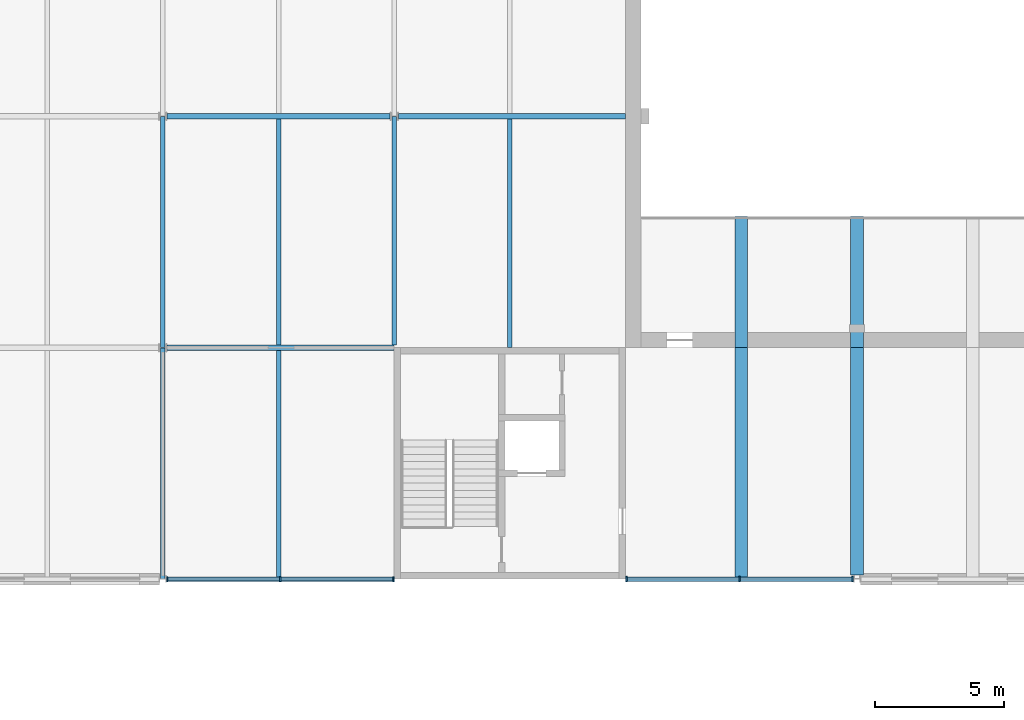
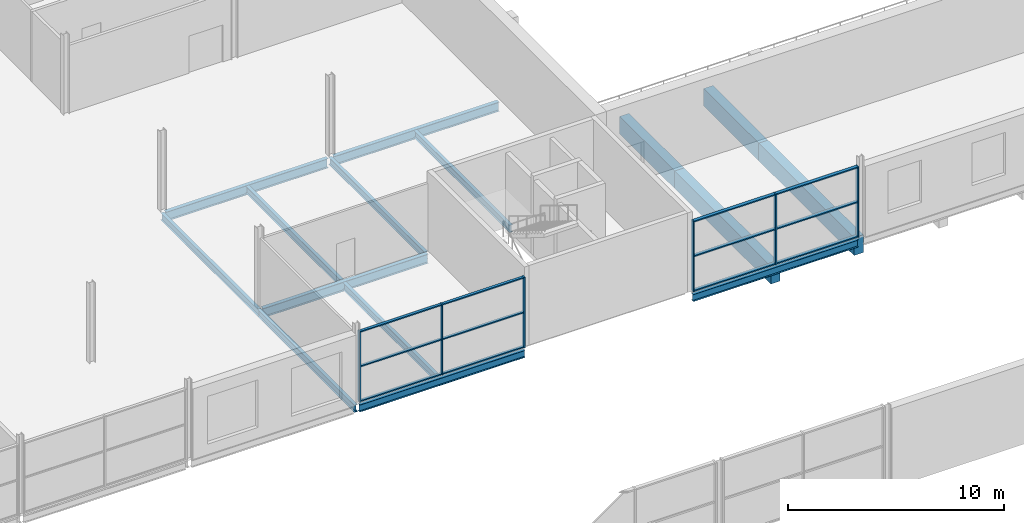
# One storey, part 37 of 97: 18 members, 15 beams, 2 elements without a shape of their own.
"""IFC4 building model written with IfcOpenShell, lengths in metres."""

from ifc_helpers import new_model, si_unit, direction, frame, origin, origin_2d, place, context, subcontext, project, spatial, rectangle, i_section, extrude, material, layer, layer_set, material_profile, profile_set, type_object, element, aggregate, save


model = new_model("IFC4")

# Units and contexts
model_context = context("Model", 3, precision=1e-05, world=origin(), true_north=direction((0.0, 1.0)))
body_context = subcontext(model_context, "Body", "Model", "MODEL_VIEW")
ifc_project = project(units=[si_unit("LENGTHUNIT", "METRE"), si_unit("AREAUNIT", "SQUARE_METRE"), si_unit("VOLUMEUNIT", "CUBIC_METRE"), si_unit("PLANEANGLEUNIT", "RADIAN"), si_unit("MASSUNIT", "GRAM", prefix="KILO")], contexts=[model_context])

# Site, building, storey
site_placement = place(None, origin())
site = spatial("IfcSite", under=ifc_project, at=site_placement, CompositionType="ELEMENT")
building_placement = place(site_placement, origin())
building = spatial("IfcBuilding", under=site, at=building_placement, Name="Corbel Yard City Hall", CompositionType="ELEMENT")
storey_placement = place(building_placement, frame((0.0, 0.0, 6.0)))
storey = spatial("IfcBuildingStorey", under=building, at=storey_placement, Name="L01", CompositionType="ELEMENT", Elevation=6.0)

# Beams
ifc_material_1 = material(Name="Steel Grade 300 (300 MPa yield)", Category="steel")
ifc_material_profile_1 = material_profile(ifc_material_1, i_section(OverallWidth=0.177978515625, OverallDepth=0.403076171875, WebThickness=0.007568359375, FlangeThickness=0.010986328125, at=origin_2d()), Name="410UB53.7")
ifc_profile_set_1 = profile_set([ifc_material_profile_1], Name="Steel Grade 300 (300 MPa yield)")
beam_type_1 = type_object("IfcBeamType", Name="Beam 410UB53.7", PredefinedType="BEAM", material=ifc_profile_set_1)
beam_1_placement = place(storey_placement, frame((99.0, 45.005859375, -0.3515625), z_axis=(0.0, 1.0, 0.0), x_axis=(-1.0, 0.0, 0.0)))
element("IfcBeam", 1, at=beam_1_placement, inside=storey, type_object=beam_type_1, Name="Beam 410UB53.7 SB6 L01floor", PredefinedType="BEAM", context=body_context, shape_type="SweptSolid", body=[
    extrude(i_section(OverallWidth=0.177978515625, OverallDepth=0.403076171875, WebThickness=0.007568359375, FlangeThickness=0.010986328125, at=origin_2d()), origin(), (0.0, 0.0, 1.0), 8.986328125),
])
beam_2_placement = place(storey_placement, frame((99.0, 54.0078125, -0.3515625), z_axis=(0.0, 1.0, 0.0), x_axis=(-1.0, 0.0, 0.0)))
element("IfcBeam", 2, at=beam_2_placement, inside=storey, type_object=beam_type_1, Name="Beam 410UB53.7 SB6 L01floor", PredefinedType="BEAM", context=body_context, shape_type="SweptSolid", body=[
    extrude(i_section(OverallWidth=0.177978515625, OverallDepth=0.403076171875, WebThickness=0.007568359375, FlangeThickness=0.010986328125, at=origin_2d()), origin(), (0.0, 0.0, 1.0), 8.984375),
])
beam_3_placement = place(storey_placement, frame((108.0, 54.1044921875, -0.3515625), z_axis=(0.0, 1.0, 0.0), x_axis=(-1.0, 0.0, 0.0)))
element("IfcBeam", 3, at=beam_3_placement, inside=storey, type_object=beam_type_1, Name="Beam 410UB53.7 SB6 L01floor", PredefinedType="BEAM", context=body_context, shape_type="SweptSolid", body=[
    extrude(i_section(OverallWidth=0.177978515625, OverallDepth=0.403076171875, WebThickness=0.007568359375, FlangeThickness=0.010986328125, at=origin_2d()), origin(), (0.0, 0.0, 1.0), 8.8876953125),
])
ifc_material_profile_2 = material_profile(ifc_material_1, i_section(OverallWidth=0.177978515625, OverallDepth=0.406005859375, WebThickness=0.0078125, FlangeThickness=0.0126953125, at=origin_2d()), Name="410UB59.7")
ifc_profile_set_2 = profile_set([ifc_material_profile_2], Name="Steel Grade 300 (300 MPa yield)")
beam_type_2 = type_object("IfcBeamType", Name="Edge beam 410UB59.7", PredefinedType="BEAM", material=ifc_profile_set_2)
for number, where, z_axis, x_axis, name in (
    (4, (99.157470703125, 45.0, -0.35302734375), (1.0, 0.0, 0.0), (0.0, 1.0, 0.0), "Edge beam 410UB59.7 EB2 L01floor"),
    (5, (117.0, 45.0, -0.35302734375), (1.0, 0.0, 0.0), (0.0, 1.0, 0.0), "Edge beam 410UB59.7 EB2 L01floor"),
):
    element("IfcBeam", number, at=place(storey_placement, frame(where, z_axis=z_axis, x_axis=x_axis)), inside=storey, type_object=beam_type_2, Name=name, PredefinedType="BEAM", context=body_context, shape_type="SweptSolid", body=[
        extrude(i_section(OverallWidth=0.177978515625, OverallDepth=0.406005859375, WebThickness=0.0078125, FlangeThickness=0.0126953125, at=origin_2d()), origin(), (0.0, 0.0, 1.0), 8.842529296875),
    ])
ifc_material_2 = material(Name="Concrete N40 (40 MPa)", Category="concrete")
ifc_material_profile_3 = material_profile(ifc_material_2, rectangle(XDim=0.5, YDim=1.0, at=origin_2d()), Name="500x1000")
ifc_profile_set_3 = profile_set([ifc_material_profile_3], Name="Concrete N40 (40 MPa)")
beam_type_3 = type_object("IfcBeamType", Name="Gallery back-span beam RC 500X1000", PredefinedType="BEAM", material=ifc_profile_set_3)
beam_4_placement = place(storey_placement, frame((121.5, 45.089111328125, -0.64990234375), z_axis=(0.0, 1.0, 0.0), x_axis=(-1.0, 0.0, 0.0)))
element("IfcBeam", 6, at=beam_4_placement, inside=storey, type_object=beam_type_3, Name="Gallery back-span beam RC 500X1000 TB1 L01floor", PredefinedType="BEAM", context=body_context, shape_type="SweptSolid", body=[
    extrude(rectangle(XDim=0.5, YDim=1.0, at=origin_2d()), origin(), (0.0, 0.0, 1.0), 8.910888671875),
])
beam_5_placement = place(storey_placement, frame((126.0, 45.153564453125, -0.64990234375), z_axis=(0.0, 1.0, 0.0), x_axis=(-1.0, 0.0, 0.0)))
element("IfcBeam", 7, at=beam_5_placement, inside=storey, type_object=beam_type_3, Name="Gallery back-span beam RC 500X1000 TB1 L01floor", PredefinedType="BEAM", context=body_context, shape_type="SweptSolid", body=[
    extrude(rectangle(XDim=0.5, YDim=1.0, at=origin_2d()), origin(), (0.0, 0.0, 1.0), 8.846435546875),
])
ifc_material_profile_4 = material_profile(ifc_material_2, rectangle(XDim=0.5, YDim=1.0, at=origin_2d()), Name="500x1000")
ifc_profile_set_4 = profile_set([ifc_material_profile_4], Name="Concrete N40 (40 MPa)")
beam_type_4 = type_object("IfcBeamType", Name="Gallery cantilever beam RC 500X1000", PredefinedType="BEAM", material=ifc_profile_set_4)
for number, where, z_axis, x_axis, name in (
    (8, (121.5, 54.0, -0.64990234375), (0.0, 1.0, 0.0), (-1.0, 0.0, 0.0), "Gallery cantilever beam RC 500X1000 TB2 L01floor"),
    (9, (126.0, 54.0, -0.64990234375), (0.0, 1.0, 0.0), (-1.0, 0.0, 0.0), "Gallery cantilever beam RC 500X1000 TB2 L01floor"),
):
    element("IfcBeam", number, at=place(storey_placement, frame(where, z_axis=z_axis, x_axis=x_axis)), inside=storey, type_object=beam_type_4, Name=name, PredefinedType="BEAM", context=body_context, shape_type="SweptSolid", body=[
        extrude(rectangle(XDim=0.5, YDim=1.0, at=origin_2d()), origin(), (0.0, 0.0, 1.0), 5.10009765625),
    ])
ifc_material_profile_5 = material_profile(ifc_material_1, i_section(OverallWidth=0.208984375, OverallDepth=0.528076171875, WebThickness=0.009521484375, FlangeThickness=0.01318359375, at=origin_2d()), Name="530UB82.0")
ifc_profile_set_5 = profile_set([ifc_material_profile_5], Name="Steel Grade 300 (300 MPa yield)")
beam_type_5 = type_object("IfcBeamType", Name="Girder 530UB82.0", PredefinedType="BEAM", material=ifc_profile_set_5)
beam_6_placement = place(storey_placement, frame((99.16357421875, 54.0, -0.4140625), z_axis=(1.0, 0.0, 0.0), x_axis=(0.0, 1.0, 0.0)))
element("IfcBeam", 10, at=beam_6_placement, inside=storey, type_object=beam_type_5, Name="Girder 530UB82.0 GB3 L01floor", PredefinedType="BEAM", context=body_context, shape_type="SweptSolid", body=[
    extrude(i_section(OverallWidth=0.208984375, OverallDepth=0.528076171875, WebThickness=0.009521484375, FlangeThickness=0.01318359375, at=origin_2d()), origin(), (0.0, 0.0, 1.0), 8.83642578125),
])
beam_7_placement = place(storey_placement, frame((99.16357421875, 63.0, -0.4140625), z_axis=(1.0, 0.0, 0.0), x_axis=(0.0, 1.0, 0.0)))
element("IfcBeam", 11, at=beam_7_placement, inside=storey, type_object=beam_type_5, Name="Girder 530UB82.0 GB3 L01floor", PredefinedType="BEAM", context=body_context, shape_type="SweptSolid", body=[
    extrude(i_section(OverallWidth=0.208984375, OverallDepth=0.528076171875, WebThickness=0.009521484375, FlangeThickness=0.01318359375, at=origin_2d()), origin(), (0.0, 0.0, 1.0), 8.6728515625),
])
beam_8_placement = place(storey_placement, frame((108.16357421875, 63.0, -0.4140625), z_axis=(1.0, 0.0, 0.0), x_axis=(0.0, 1.0, 0.0)))
element("IfcBeam", 12, at=beam_8_placement, inside=storey, type_object=beam_type_5, Name="Girder 530UB82.0 GB3 L01floor", PredefinedType="BEAM", context=body_context, shape_type="SweptSolid", body=[
    extrude(i_section(OverallWidth=0.208984375, OverallDepth=0.528076171875, WebThickness=0.009521484375, FlangeThickness=0.01318359375, at=origin_2d()), origin(), (0.0, 0.0, 1.0), 8.83642578125),
])

# Curtain wall, members
ifc_material_3 = material(Name="Aluminium extrusion", Category="aluminium")
ifc_layer_1 = layer(ifc_material_3, 0.199951171875)
ifc_layer_set_1 = layer_set([ifc_layer_1], Name="Aluminium extrusion")
curtain_wall_type_1 = type_object("IfcCurtainWallType", Name="CW1", PredefinedType="USERDEFINED", material=ifc_layer_set_1)
curtain_wall_1_placement = place(storey_placement, origin())
curtain_wall_1 = element("IfcCurtainWall", 13, at=curtain_wall_1_placement, inside=storey, type_object=curtain_wall_type_1, Name="Curtain wall CW1 L01", ObjectType="CURTAIN WALL", PredefinedType="USERDEFINED")
ifc_material_profile_6 = material_profile(ifc_material_3, rectangle(XDim=0.199951171875, YDim=0.06494140625, at=origin_2d()), Name="200x65")
ifc_profile_set_6 = profile_set([ifc_material_profile_6], Name="Aluminium extrusion")
member_type_1 = type_object("IfcMemberType", Name="ML1", PredefinedType="MULLION", material=ifc_profile_set_6)
member_1_placement = place(storey_placement, frame((99.16259765625, 45.0, 0.0), z_axis=(0.0, 0.0, 1.0), x_axis=(0.0, 1.0, 0.0)))
member_1 = element("IfcMember", 14, at=member_1_placement, type_object=member_type_1, Name="CW1 mullion 1", PredefinedType="MULLION", context=body_context, shape_type="SweptSolid", body=[
    extrude(rectangle(XDim=0.199951171875, YDim=0.06494140625, at=origin_2d()), origin(), (0.0, 0.0, 1.0), 3.990966796875),
])
member_2_placement = place(storey_placement, frame((103.56494140625, 45.0, 0.0), z_axis=(0.0, 0.0, 1.0), x_axis=(0.0, 1.0, 0.0)))
member_2 = element("IfcMember", 15, at=member_2_placement, type_object=member_type_1, Name="CW1 mullion 2", PredefinedType="MULLION", context=body_context, shape_type="SweptSolid", body=[
    extrude(rectangle(XDim=0.199951171875, YDim=0.06494140625, at=origin_2d()), origin(), (0.0, 0.0, 1.0), 3.990966796875),
])
member_3_placement = place(storey_placement, frame((107.967529296875, 45.0, 0.0), z_axis=(0.0, 0.0, 1.0), x_axis=(0.0, 1.0, 0.0)))
member_3 = element("IfcMember", 16, at=member_3_placement, type_object=member_type_1, Name="CW1 mullion 3", PredefinedType="MULLION", context=body_context, shape_type="SweptSolid", body=[
    extrude(rectangle(XDim=0.199951171875, YDim=0.06494140625, at=origin_2d()), origin(), (0.0, 0.0, 1.0), 3.990966796875),
])

ifc_layer_2 = layer(ifc_material_3, 0.219970703125)
ifc_layer_set_2 = layer_set([ifc_layer_2], Name="Aluminium extrusion")
curtain_wall_type_2 = type_object("IfcCurtainWallType", Name="CW5", PredefinedType="USERDEFINED", material=ifc_layer_set_2)
curtain_wall_2_placement = place(storey_placement, origin())
curtain_wall_2 = element("IfcCurtainWall", 17, at=curtain_wall_2_placement, inside=storey, type_object=curtain_wall_type_2, Name="Curtain wall CW5 L01", ObjectType="CURTAIN WALL", PredefinedType="USERDEFINED")
ifc_material_profile_7 = material_profile(ifc_material_3, rectangle(XDim=0.219970703125, YDim=0.06494140625, at=origin_2d()), Name="220x65")
ifc_profile_set_7 = profile_set([ifc_material_profile_7], Name="Aluminium extrusion")
member_type_2 = type_object("IfcMemberType", Name="ML5", PredefinedType="MULLION", material=ifc_profile_set_7)
member_4_placement = place(storey_placement, frame((117.032470703125, 45.0, 0.0), z_axis=(0.0, 0.0, 1.0), x_axis=(0.0, 1.0, 0.0)))
member_4 = element("IfcMember", 18, at=member_4_placement, type_object=member_type_2, Name="CW5 mullion 1", PredefinedType="MULLION", context=body_context, shape_type="SweptSolid", body=[
    extrude(rectangle(XDim=0.219970703125, YDim=0.06494140625, at=origin_2d()), origin(), (0.0, 0.0, 1.0), 3.990966796875),
])
member_5_placement = place(storey_placement, frame((121.43505859375, 45.0, 0.0), z_axis=(0.0, 0.0, 1.0), x_axis=(0.0, 1.0, 0.0)))
member_5 = element("IfcMember", 19, at=member_5_placement, type_object=member_type_2, Name="CW5 mullion 2", PredefinedType="MULLION", context=body_context, shape_type="SweptSolid", body=[
    extrude(rectangle(XDim=0.219970703125, YDim=0.06494140625, at=origin_2d()), origin(), (0.0, 0.0, 1.0), 3.990966796875),
])
member_6_placement = place(storey_placement, frame((125.83740234375, 45.0, 0.0), z_axis=(0.0, 0.0, 1.0), x_axis=(0.0, 1.0, 0.0)))
member_6 = element("IfcMember", 20, at=member_6_placement, type_object=member_type_2, Name="CW5 mullion 3", PredefinedType="MULLION", context=body_context, shape_type="SweptSolid", body=[
    extrude(rectangle(XDim=0.219970703125, YDim=0.06494140625, at=origin_2d()), origin(), (0.0, 0.0, 1.0), 3.990966796875),
])

# Beams
ifc_material_profile_8 = material_profile(ifc_material_1, i_section(OverallWidth=0.177978515625, OverallDepth=0.403076171875, WebThickness=0.007568359375, FlangeThickness=0.010986328125, at=origin_2d()), Name="410UB53.7")
ifc_profile_set_8 = profile_set([ifc_material_profile_8], Name="Steel Grade 300 (300 MPa yield)")
beam_type_6 = type_object("IfcBeamType", Name="Secondary beam 410UB53.7", PredefinedType="JOIST", material=ifc_profile_set_8)
beam_9_placement = place(storey_placement, frame((103.5, 45.089111328125, -0.3515625), z_axis=(0.0, 1.0, 0.0), x_axis=(-1.0, 0.0, 0.0)))
element("IfcBeam", 21, at=beam_9_placement, inside=storey, type_object=beam_type_6, Name="Secondary beam 410UB53.7 SB5 L01floor", PredefinedType="JOIST", context=body_context, shape_type="SweptSolid", body=[
    extrude(i_section(OverallWidth=0.177978515625, OverallDepth=0.403076171875, WebThickness=0.007568359375, FlangeThickness=0.010986328125, at=origin_2d()), origin(), (0.0, 0.0, 1.0), 8.806396484375),
])
beam_10_placement = place(storey_placement, frame((103.5, 54.1044921875, -0.3515625), z_axis=(0.0, 1.0, 0.0), x_axis=(-1.0, 0.0, 0.0)))
element("IfcBeam", 22, at=beam_10_placement, inside=storey, type_object=beam_type_6, Name="Secondary beam 410UB53.7 SB5 L01floor", PredefinedType="JOIST", context=body_context, shape_type="SweptSolid", body=[
    extrude(i_section(OverallWidth=0.177978515625, OverallDepth=0.403076171875, WebThickness=0.007568359375, FlangeThickness=0.010986328125, at=origin_2d()), origin(), (0.0, 0.0, 1.0), 8.791015625),
])
beam_11_placement = place(storey_placement, frame((112.5, 54.0, -0.3515625), z_axis=(0.0, 1.0, 0.0), x_axis=(-1.0, 0.0, 0.0)))
element("IfcBeam", 23, at=beam_11_placement, inside=storey, type_object=beam_type_6, Name="Secondary beam 410UB53.7 SB5 L01floor", PredefinedType="JOIST", context=body_context, shape_type="SweptSolid", body=[
    extrude(i_section(OverallWidth=0.177978515625, OverallDepth=0.403076171875, WebThickness=0.007568359375, FlangeThickness=0.010986328125, at=origin_2d()), origin(), (0.0, 0.0, 1.0), 8.8955078125),
])

# Member
ifc_material_profile_9 = material_profile(ifc_material_3, rectangle(XDim=0.14990234375, YDim=0.06494140625, at=origin_2d()), Name="150x65")
ifc_profile_set_9 = profile_set([ifc_material_profile_9], Name="Aluminium extrusion")
member_type_3 = type_object("IfcMemberType", Name="TR1", PredefinedType="USERDEFINED", material=ifc_profile_set_9)
member_7_placement = place(storey_placement, frame((99.195068359375, 45.0, 0.032470703125), z_axis=(1.0, 0.0, 0.0), x_axis=(0.0, 1.0, 0.0)))
member_7 = element("IfcMember", 24, at=member_7_placement, type_object=member_type_3, Name="CW1 transom 1.1", ObjectType="TRANSOM", PredefinedType="USERDEFINED", context=body_context, shape_type="SweptSolid", body=[
    extrude(rectangle(XDim=0.14990234375, YDim=0.06494140625, at=origin_2d()), origin(), (0.0, 0.0, 1.0), 4.33740234375),
])

member_8_placement = place(storey_placement, frame((99.195068359375, 45.0, 1.99560546875), z_axis=(1.0, 0.0, 0.0), x_axis=(0.0, 1.0, 0.0)))
member_8 = element("IfcMember", 25, at=member_8_placement, type_object=member_type_3, Name="CW1 transom 1.2", ObjectType="TRANSOM", PredefinedType="USERDEFINED", context=body_context, shape_type="SweptSolid", body=[
    extrude(rectangle(XDim=0.14990234375, YDim=0.06494140625, at=origin_2d()), origin(), (0.0, 0.0, 1.0), 4.33740234375),
])

member_9_placement = place(storey_placement, frame((99.195068359375, 45.0, 3.95849609375), z_axis=(1.0, 0.0, 0.0), x_axis=(0.0, 1.0, 0.0)))
member_9 = element("IfcMember", 26, at=member_9_placement, type_object=member_type_3, Name="CW1 transom 1.3", ObjectType="TRANSOM", PredefinedType="USERDEFINED", context=body_context, shape_type="SweptSolid", body=[
    extrude(rectangle(XDim=0.14990234375, YDim=0.06494140625, at=origin_2d()), origin(), (0.0, 0.0, 1.0), 4.33740234375),
])

member_10_placement = place(storey_placement, frame((103.597412109375, 45.0, 0.032470703125), z_axis=(1.0, 0.0, 0.0), x_axis=(0.0, 1.0, 0.0)))
member_10 = element("IfcMember", 27, at=member_10_placement, type_object=member_type_3, Name="CW1 transom 2.1", ObjectType="TRANSOM", PredefinedType="USERDEFINED", context=body_context, shape_type="SweptSolid", body=[
    extrude(rectangle(XDim=0.14990234375, YDim=0.06494140625, at=origin_2d()), origin(), (0.0, 0.0, 1.0), 4.337646484375),
])

member_11_placement = place(storey_placement, frame((103.597412109375, 45.0, 1.99560546875), z_axis=(1.0, 0.0, 0.0), x_axis=(0.0, 1.0, 0.0)))
member_11 = element("IfcMember", 28, at=member_11_placement, type_object=member_type_3, Name="CW1 transom 2.2", ObjectType="TRANSOM", PredefinedType="USERDEFINED", context=body_context, shape_type="SweptSolid", body=[
    extrude(rectangle(XDim=0.14990234375, YDim=0.06494140625, at=origin_2d()), origin(), (0.0, 0.0, 1.0), 4.337646484375),
])

member_12_placement = place(storey_placement, frame((103.597412109375, 45.0, 3.95849609375), z_axis=(1.0, 0.0, 0.0), x_axis=(0.0, 1.0, 0.0)))
member_12 = element("IfcMember", 29, at=member_12_placement, type_object=member_type_3, Name="CW1 transom 2.3", ObjectType="TRANSOM", PredefinedType="USERDEFINED", context=body_context, shape_type="SweptSolid", body=[
    extrude(rectangle(XDim=0.14990234375, YDim=0.06494140625, at=origin_2d()), origin(), (0.0, 0.0, 1.0), 4.337646484375),
])

aggregate(curtain_wall_1, [member_1, member_2, member_3, member_7, member_8, member_9, member_10, member_11, member_12])

ifc_material_profile_10 = material_profile(ifc_material_3, rectangle(XDim=0.179931640625, YDim=0.06494140625, at=origin_2d()), Name="180x65")
ifc_profile_set_10 = profile_set([ifc_material_profile_10], Name="Aluminium extrusion")
member_type_4 = type_object("IfcMemberType", Name="TR5", PredefinedType="USERDEFINED", material=ifc_profile_set_10)
member_13_placement = place(storey_placement, frame((117.06494140625, 45.0, 0.032470703125), z_axis=(1.0, 0.0, 0.0), x_axis=(0.0, 1.0, 0.0)))
member_13 = element("IfcMember", 30, at=member_13_placement, type_object=member_type_4, Name="CW5 transom 1.1", ObjectType="TRANSOM", PredefinedType="USERDEFINED", context=body_context, shape_type="SweptSolid", body=[
    extrude(rectangle(XDim=0.179931640625, YDim=0.06494140625, at=origin_2d()), origin(), (0.0, 0.0, 1.0), 4.337646484375),
])

member_14_placement = place(storey_placement, frame((117.06494140625, 45.0, 1.99560546875), z_axis=(1.0, 0.0, 0.0), x_axis=(0.0, 1.0, 0.0)))
member_14 = element("IfcMember", 31, at=member_14_placement, type_object=member_type_4, Name="CW5 transom 1.2", ObjectType="TRANSOM", PredefinedType="USERDEFINED", context=body_context, shape_type="SweptSolid", body=[
    extrude(rectangle(XDim=0.179931640625, YDim=0.06494140625, at=origin_2d()), origin(), (0.0, 0.0, 1.0), 4.337646484375),
])

member_15_placement = place(storey_placement, frame((117.06494140625, 45.0, 3.95849609375), z_axis=(1.0, 0.0, 0.0), x_axis=(0.0, 1.0, 0.0)))
member_15 = element("IfcMember", 32, at=member_15_placement, type_object=member_type_4, Name="CW5 transom 1.3", ObjectType="TRANSOM", PredefinedType="USERDEFINED", context=body_context, shape_type="SweptSolid", body=[
    extrude(rectangle(XDim=0.179931640625, YDim=0.06494140625, at=origin_2d()), origin(), (0.0, 0.0, 1.0), 4.337646484375),
])

member_16_placement = place(storey_placement, frame((121.467529296875, 45.0, 0.032470703125), z_axis=(1.0, 0.0, 0.0), x_axis=(0.0, 1.0, 0.0)))
member_16 = element("IfcMember", 33, at=member_16_placement, type_object=member_type_4, Name="CW5 transom 2.1", ObjectType="TRANSOM", PredefinedType="USERDEFINED", context=body_context, shape_type="SweptSolid", body=[
    extrude(rectangle(XDim=0.179931640625, YDim=0.06494140625, at=origin_2d()), origin(), (0.0, 0.0, 1.0), 4.33740234375),
])

member_17_placement = place(storey_placement, frame((121.467529296875, 45.0, 1.99560546875), z_axis=(1.0, 0.0, 0.0), x_axis=(0.0, 1.0, 0.0)))
member_17 = element("IfcMember", 34, at=member_17_placement, type_object=member_type_4, Name="CW5 transom 2.2", ObjectType="TRANSOM", PredefinedType="USERDEFINED", context=body_context, shape_type="SweptSolid", body=[
    extrude(rectangle(XDim=0.179931640625, YDim=0.06494140625, at=origin_2d()), origin(), (0.0, 0.0, 1.0), 4.33740234375),
])

member_18_placement = place(storey_placement, frame((121.467529296875, 45.0, 3.95849609375), z_axis=(1.0, 0.0, 0.0), x_axis=(0.0, 1.0, 0.0)))
member_18 = element("IfcMember", 35, at=member_18_placement, type_object=member_type_4, Name="CW5 transom 2.3", ObjectType="TRANSOM", PredefinedType="USERDEFINED", context=body_context, shape_type="SweptSolid", body=[
    extrude(rectangle(XDim=0.179931640625, YDim=0.06494140625, at=origin_2d()), origin(), (0.0, 0.0, 1.0), 4.33740234375),
])

aggregate(curtain_wall_2, [member_4, member_5, member_6, member_13, member_14, member_15, member_16, member_17, member_18])

save(model, "model.ifc")
